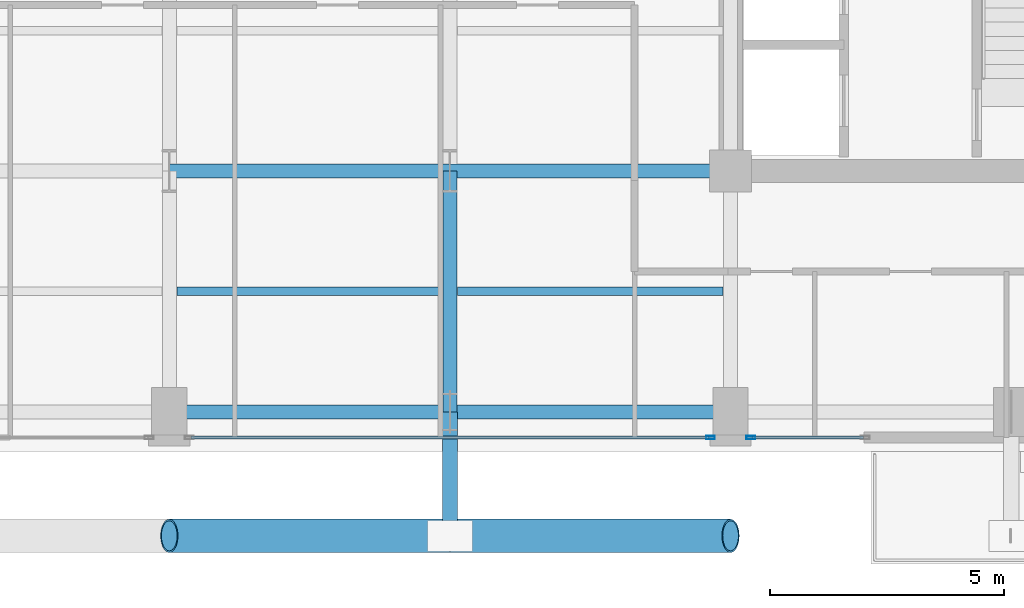
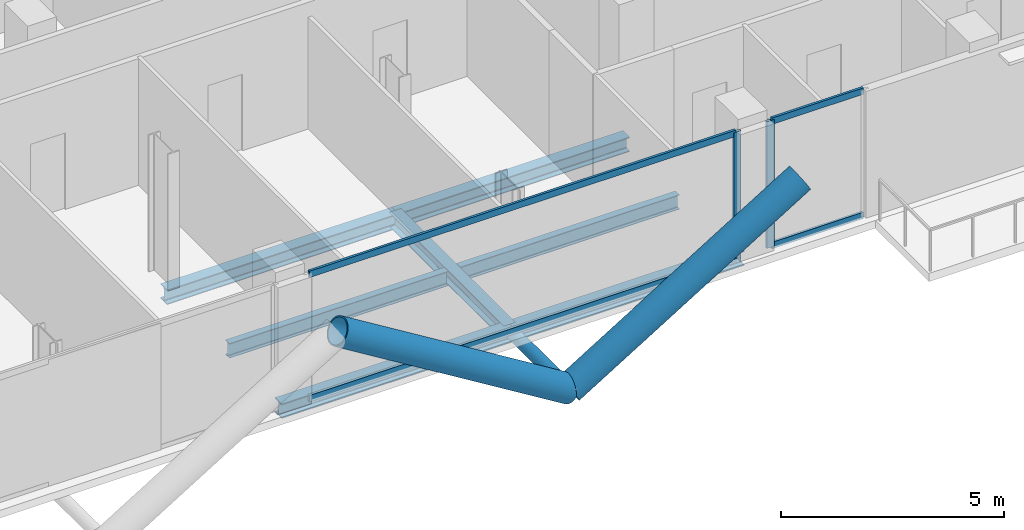
# One storey, part 4 of 26: 9 members, 7 beams, 2 elements without a shape of their own.
"""IFC4 building model written with IfcOpenShell, lengths in metres."""

from ifc_helpers import new_model, si_unit, direction, frame, origin, origin_2d, place, context, subcontext, project, spatial, hollow_rectangle, hollow_circle, i_section, extrude, material, layer, layer_set, material_profile, profile_set, type_object, element, aggregate, save


model = new_model("IFC4")

# Units and contexts
model_context = context("Model", 3, precision=1e-05, world=origin(), true_north=direction((0.0, 1.0)))
body_context = subcontext(model_context, "Body", "Model", "MODEL_VIEW")
ifc_project = project(units=[si_unit("LENGTHUNIT", "METRE"), si_unit("AREAUNIT", "SQUARE_METRE"), si_unit("VOLUMEUNIT", "CUBIC_METRE"), si_unit("PLANEANGLEUNIT", "RADIAN"), si_unit("MASSUNIT", "GRAM", prefix="KILO"), si_unit("THERMODYNAMICTEMPERATUREUNIT", "KELVIN"), si_unit("POWERUNIT", "WATT")], contexts=[model_context])

# Site, building, storey
site_placement = place(None, origin())
site = spatial("IfcSite", under=ifc_project, at=site_placement, CompositionType="ELEMENT")
building_placement = place(site_placement, origin())
building = spatial("IfcBuilding", under=site, at=building_placement, Name="Svarakhadi Broadcast Tower", CompositionType="ELEMENT")
storey_placement = place(building_placement, frame((0.0, 0.0, 195.449951171875)))
storey = spatial("IfcBuildingStorey", under=building, at=storey_placement, Name="L48", CompositionType="ELEMENT", Elevation=195.449951171875)

# Beams
ifc_material_1 = material(Name="Steel S355J2 (IS 2062 E350C)", Category="steel")
ifc_material_profile_1 = material_profile(ifc_material_1, i_section(OverallWidth=0.179931640625, OverallDepth=0.39990234375, WebThickness=0.008544921875, FlangeThickness=0.013427734375, FilletRadius=0.02099609375, at=origin_2d()), Name="NPB 400x180x66")
ifc_profile_set_1 = profile_set([ifc_material_profile_1], Name="Steel S355J2 (IS 2062 E350C)")
beam_type_1 = type_object("IfcBeamType", Name="Beam_NPB400", PredefinedType="BEAM", material=ifc_profile_set_1)
for number, where, z_axis, x_axis, name in (
    (1, (12.159912109375, 3.425048828125, -0.409912109375), (1.0, 0.0, 0.0), (0.0, 1.0, 0.0), "L48 Secondary Composite Beam SB009"),
    (2, (18.159912109375, 3.425048828125, -0.409912109375), (1.0, 0.0, 0.0), (0.0, 1.0, 0.0), "L48 Secondary Composite Beam SB013"),
):
    element("IfcBeam", number, at=place(storey_placement, frame(where, z_axis=z_axis, x_axis=x_axis)), inside=storey, type_object=beam_type_1, Name=name, PredefinedType="BEAM", context=body_context, shape_type="SweptSolid", body=[
        extrude(i_section(OverallWidth=0.179931640625, OverallDepth=0.39990234375, WebThickness=0.008544921875, FlangeThickness=0.013427734375, FilletRadius=0.02099609375, at=origin_2d()), origin(), (0.0, 0.0, 1.0), 5.68017578125),
    ])

# Curtain wall, member
ifc_material_2 = material(Name="Anodised Bronze Aluminium AA 6063-T6", Category="aluminium")
ifc_layer = layer(ifc_material_2, 0.18994140625)
ifc_layer_set = layer_set([ifc_layer], Name="Anodised Bronze Aluminium AA 6063-T6")
curtain_wall_type = type_object("IfcCurtainWallType", Name="CW_Sys_04", PredefinedType="NOTDEFINED", material=ifc_layer_set)
curtain_wall_1_placement = place(storey_placement, origin())
curtain_wall_1 = element("IfcCurtainWall", 3, at=curtain_wall_1_placement, inside=storey, type_object=curtain_wall_type, Name="L48 South Curtain Wall 16 Bay 1", PredefinedType="NOTDEFINED")
ifc_material_profile_2 = material_profile(ifc_material_2, hollow_rectangle(XDim=0.070068359375, YDim=0.18994140625, WallThickness=0.005615234375, at=origin_2d()), Name="ALU MULLION 190x70x6")
ifc_profile_set_2 = profile_set([ifc_material_profile_2], Name="Anodised Bronze Aluminium AA 6063-T6")
member_type_1 = type_object("IfcMemberType", Name="CW_Sys_04_Mul", PredefinedType="MULLION", material=ifc_profile_set_2)
member_1_placement = place(storey_placement, frame((24.429931640625, 0.300048828125, 0.0), z_axis=(0.0, 0.0, 1.0), x_axis=(0.0, -1.0, 0.0)))
member_1 = element("IfcMember", 4, at=member_1_placement, type_object=member_type_1, Name="CW-04 mullion 2", PredefinedType="MULLION", context=body_context, shape_type="SweptSolid", body=[
    extrude(hollow_rectangle(XDim=0.070068359375, YDim=0.18994140625, WallThickness=0.005615234375, at=origin_2d()), origin(), (0.0, 0.0, 1.0), 3.47509765625),
])

curtain_wall_2_placement = place(storey_placement, origin())
curtain_wall_2 = element("IfcCurtainWall", 5, at=curtain_wall_2_placement, inside=storey, type_object=curtain_wall_type, Name="L48 South Curtain Wall 16 Bay 2", PredefinedType="NOTDEFINED")
member_2_placement = place(storey_placement, frame((23.570068359375, 0.300048828125, 0.0), z_axis=(0.0, 0.0, 1.0), x_axis=(0.0, -1.0, 0.0)))
member_2 = element("IfcMember", 6, at=member_2_placement, type_object=member_type_1, Name="CW-04 mullion 1", PredefinedType="MULLION", context=body_context, shape_type="SweptSolid", body=[
    extrude(hollow_rectangle(XDim=0.070068359375, YDim=0.18994140625, WallThickness=0.005615234375, at=origin_2d()), origin(), (0.0, 0.0, 1.0), 3.47509765625),
])

# Member
ifc_material_profile_3 = material_profile(ifc_material_2, hollow_rectangle(XDim=0.06494140625, YDim=0.175048828125, WallThickness=0.0048828125, at=origin_2d()), Name="ALU TRANSOM 175x65x5")
ifc_profile_set_3 = profile_set([ifc_material_profile_3], Name="Anodised Bronze Aluminium AA 6063-T6")
member_type_2 = type_object("IfcMemberType", Name="CW_Sys_04_Trn", PredefinedType="USERDEFINED", material=ifc_profile_set_3)
member_3_placement = place(storey_placement, frame((26.840087890625, 0.300048828125, 0.032470703125), z_axis=(-1.0, 0.0, 0.0), x_axis=(0.0, -1.0, 0.0)))
member_3 = element("IfcMember", 7, at=member_3_placement, type_object=member_type_2, Name="CW-04 transom 1.1", ObjectType="TRANSOM", PredefinedType="USERDEFINED", context=body_context, shape_type="SweptSolid", body=[
    extrude(hollow_rectangle(XDim=0.06494140625, YDim=0.175048828125, WallThickness=0.0048828125, at=origin_2d()), origin(), (0.0, 0.0, 1.0), 2.375),
])

member_4_placement = place(storey_placement, frame((26.840087890625, 0.300048828125, 3.442626953125), z_axis=(-1.0, 0.0, 0.0), x_axis=(0.0, -1.0, 0.0)))
member_4 = element("IfcMember", 8, at=member_4_placement, type_object=member_type_2, Name="CW-04 transom 1.2", ObjectType="TRANSOM", PredefinedType="USERDEFINED", context=body_context, shape_type="SweptSolid", body=[
    extrude(hollow_rectangle(XDim=0.06494140625, YDim=0.175048828125, WallThickness=0.0048828125, at=origin_2d()), origin(), (0.0, 0.0, 1.0), 2.375),
])

aggregate(curtain_wall_1, [member_1, member_3, member_4])

member_5_placement = place(storey_placement, frame((23.534912109375, 0.300048828125, 0.032470703125), z_axis=(-1.0, 0.0, 0.0), x_axis=(0.0, -1.0, 0.0)))
member_5 = element("IfcMember", 9, at=member_5_placement, type_object=member_type_2, Name="CW-04 transom 1.1", ObjectType="TRANSOM", PredefinedType="USERDEFINED", context=body_context, shape_type="SweptSolid", body=[
    extrude(hollow_rectangle(XDim=0.06494140625, YDim=0.175048828125, WallThickness=0.0048828125, at=origin_2d()), origin(), (0.0, 0.0, 1.0), 11.06982421875),
])

member_6_placement = place(storey_placement, frame((23.534912109375, 0.300048828125, 3.442626953125), z_axis=(-1.0, 0.0, 0.0), x_axis=(0.0, -1.0, 0.0)))
member_6 = element("IfcMember", 10, at=member_6_placement, type_object=member_type_2, Name="CW-04 transom 1.2", ObjectType="TRANSOM", PredefinedType="USERDEFINED", context=body_context, shape_type="SweptSolid", body=[
    extrude(hollow_rectangle(XDim=0.06494140625, YDim=0.175048828125, WallThickness=0.0048828125, at=origin_2d()), origin(), (0.0, 0.0, 1.0), 11.06982421875),
])

aggregate(curtain_wall_2, [member_2, member_5, member_6])

# Members
ifc_material_3 = material(Name="Steel S460ML (IS 2062 E450BR)", Category="steel")
ifc_material_profile_4 = material_profile(ifc_material_3, hollow_circle(Radius=0.35546875, WallThickness=0.034912109375, at=origin_2d()), Name="CHS 711x35")
ifc_profile_set_4 = profile_set([ifc_material_profile_4], Name="Steel S460ML (IS 2062 E450BR)")
member_type_3 = type_object("IfcMemberType", Name="Exo_Brace_CHS711", PredefinedType="BRACE", material=ifc_profile_set_4)
for number, where, z_axis, x_axis, name in (
    (11, (18.0, -1.800048828125, -0.371826171875), (-0.852132977326, 0.0, 0.523325318472), (0.0, -1.0, 0.0), "L48 Exposed Bronze Exoskeleton Diagonal S02"),
    (12, (18.0, -1.800048828125, -0.371826171875), (0.852132977326, 0.0, 0.523325318472), (0.0, 1.0, 0.0), "L48 Exposed Bronze Exoskeleton Diagonal S03"),
):
    element("IfcMember", number, at=place(storey_placement, frame(where, z_axis=z_axis, x_axis=x_axis)), inside=storey, type_object=member_type_3, Name=name, PredefinedType="BRACE", context=body_context, shape_type="SweptSolid", body=[
        extrude(hollow_circle(Radius=0.35546875, WallThickness=0.034912109375, at=origin_2d()), origin(), (0.0, 0.0, 1.0), 7.041259765625),
    ])
ifc_material_profile_5 = material_profile(ifc_material_3, hollow_circle(Radius=0.161865234375, WallThickness=0.01611328125, at=origin_2d()), Name="CHS 323.9x16")
ifc_profile_set_5 = profile_set([ifc_material_profile_5], Name="Steel S460ML (IS 2062 E450BR)")
member_type_4 = type_object("IfcMemberType", Name="Exo_Radial_Strut_Z2", PredefinedType="STRUT", material=ifc_profile_set_5)
member_7_placement = place(storey_placement, frame((18.0, -1.800048828125, -0.371826171875), z_axis=(0.0, 1.0, 0.0), x_axis=(-1.0, 0.0, 0.0)))
element("IfcMember", 13, at=member_7_placement, inside=storey, type_object=member_type_4, Name="L48 Exoskeleton Radial Tie Strut S02", PredefinedType="STRUT", context=body_context, shape_type="SweptSolid", body=[
    extrude(hollow_circle(Radius=0.161865234375, WallThickness=0.01611328125, at=origin_2d()), origin(), (0.0, 0.0, 1.0), 2.650146484375),
])

# Beams
ifc_material_profile_6 = material_profile(ifc_material_1, i_section(OverallWidth=0.300048828125, OverallDepth=0.39990234375, WebThickness=0.013427734375, FlangeThickness=0.02392578125, FilletRadius=0.027099609375, at=origin_2d()), Name="WPB 400x300x155")
ifc_profile_set_6 = profile_set([ifc_material_profile_6], Name="Steel S355J2 (IS 2062 E350C)")
beam_type_2 = type_object("IfcBeamType", Name="Girder_WPB400", PredefinedType="USERDEFINED", material=ifc_profile_set_6)
for number, where, z_axis, x_axis, name in (
    (14, (12.0, 0.85009765625, -0.409912109375), (1.0, 0.0, 0.0), (0.0, 1.0, 0.0), "L48 Primary E-W Girder G005"),
    (15, (18.0, 0.85009765625, -0.409912109375), (1.0, 0.0, 0.0), (0.0, 1.0, 0.0), "L48 Primary E-W Girder G006"),
    (16, (12.0, 6.0, -0.409912109375), (1.0, 0.0, 0.0), (0.0, 1.0, 0.0), "L48 Primary E-W Girder G011"),
    (17, (18.0, 6.0, -0.409912109375), (1.0, 0.0, 0.0), (0.0, 1.0, 0.0), "L48 Primary E-W Girder G012"),
):
    element("IfcBeam", number, at=place(storey_placement, frame(where, z_axis=z_axis, x_axis=x_axis)), inside=storey, type_object=beam_type_2, Name=name, ObjectType="GIRDER", PredefinedType="USERDEFINED", context=body_context, shape_type="SweptSolid", body=[
        extrude(i_section(OverallWidth=0.300048828125, OverallDepth=0.39990234375, WebThickness=0.013427734375, FlangeThickness=0.02392578125, FilletRadius=0.027099609375, at=origin_2d()), origin(), (0.0, 0.0, 1.0), 6.0),
    ])
beam_placement = place(storey_placement, frame((18.0, 0.85009765625, -0.409912109375), z_axis=(0.0, 1.0, 0.0), x_axis=(-1.0, 0.0, 0.0)))
element("IfcBeam", 18, at=beam_placement, inside=storey, type_object=beam_type_2, Name="L48 Primary N-S Girder G046", ObjectType="GIRDER", PredefinedType="USERDEFINED", context=body_context, shape_type="SweptSolid", body=[
    extrude(i_section(OverallWidth=0.300048828125, OverallDepth=0.39990234375, WebThickness=0.013427734375, FlangeThickness=0.02392578125, FilletRadius=0.027099609375, at=origin_2d()), origin(), (0.0, 0.0, 1.0), 5.14990234375),
])

save(model, "model.ifc")
